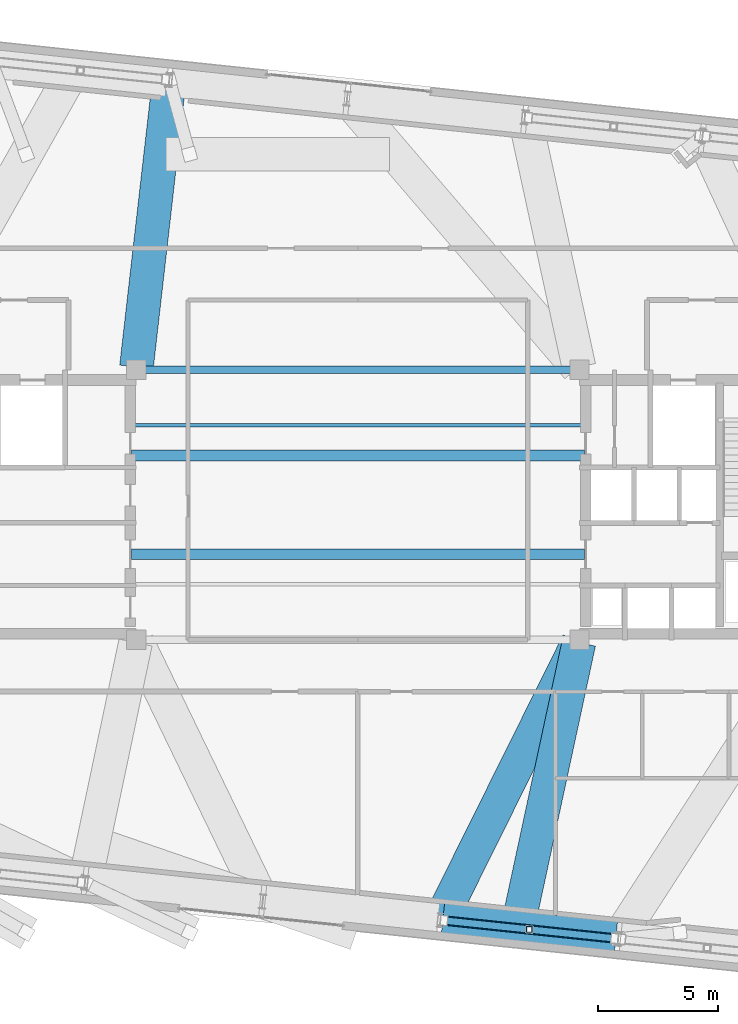
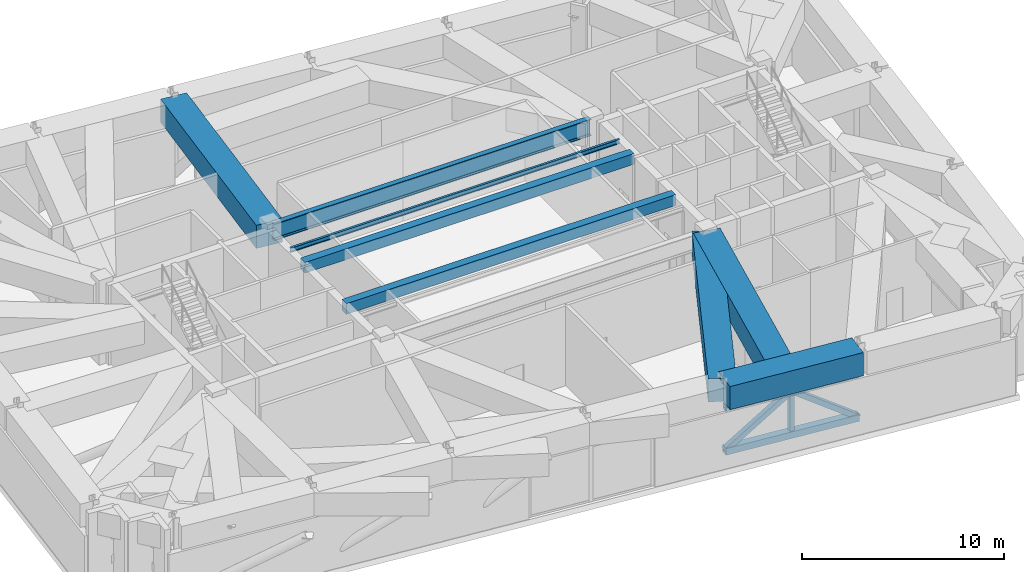
# One storey, part 8 of 21: 8 beams, 5 members.
"""IFC4 building model written with IfcOpenShell, lengths in metres."""

import ifcopenshell
import ifcopenshell.guid

model = None  # the IFC model being written
_history = None  # IfcOwnerHistory: only IFC2X3 demands one
_inside = {}  # id of a spatial element -> (the spatial element, [elements in it])
_under = {}  # id of a project, library or spatial element -> (it, [spatial elements below it])
_declared = {}  # id of a project -> (the project, [libraries it declares])
_typed = {}  # id of a type object -> (the type object, [elements of that type])
_made_of = {}  # id of a material, layer set ... -> (it, [elements and type objects made of it])


def new_model(schema):
    """Start an empty IFC model of exactly this schema.

    Asked for "IFC4X3", IfcOpenShell would pick the latest addendum, in which some entities
    have other attributes; the version numbers below select the first issue.
    IFC2X3 requires an IfcOwnerHistory on every rooted entity: one is made here for all.
    """
    global model, _history
    if schema == "IFC4X3":
        model = ifcopenshell.file(schema_version=(4, 3, 0, 0))
    else:
        model = ifcopenshell.file(schema=schema)
    _inside.clear()
    _under.clear()
    _declared.clear()
    _typed.clear()
    _made_of.clear()
    _history = None
    if model.schema == "IFC2X3":
        org = make("IfcOrganization", Name="unknown")
        user = make(
            "IfcPersonAndOrganization",
            ThePerson=make("IfcPerson", FamilyName="unknown"),
            TheOrganization=org,
        )
        app = make(
            "IfcApplication",
            ApplicationDeveloper=org,
            Version="unknown",
            ApplicationFullName="unknown",
            ApplicationIdentifier="unknown",
        )
        _history = make(
            "IfcOwnerHistory",
            OwningUser=user,
            OwningApplication=app,
            ChangeAction="ADDED",
            CreationDate=0,
        )
    return model


def make(cls, **values):
    """One entity of the class cls with the attributes given. An attribute that is None is left unset."""
    return model.create_entity(
        cls, **{name: value for name, value in values.items() if value is not None}
    )


def rooted(cls, **values):
    """An entity with a GlobalId (a new one), such as an element, a storey or a relation."""
    return make(cls, GlobalId=ifcopenshell.guid.new(), OwnerHistory=_history, **values)


def si_unit(unit_type, name, prefix=None):
    """IfcSIUnit, for example si_unit("LENGTHUNIT", "METRE", prefix="MILLI")."""
    return make("IfcSIUnit", UnitType=unit_type, Prefix=prefix, Name=name)


def assignment(units):
    """IfcUnitAssignment: the units of a project."""
    return None if units is None else make("IfcUnitAssignment", Units=units)


def point(xyz):
    """IfcCartesianPoint."""
    return None if xyz is None else make("IfcCartesianPoint", Coordinates=xyz)


def direction(xyz):
    """IfcDirection."""
    return None if xyz is None else make("IfcDirection", DirectionRatios=xyz)


def frame(location, z_axis=None, x_axis=None):
    """IfcAxis2Placement3D, a coordinate frame: its origin and axes. An axis left out is left unset."""
    return make(
        "IfcAxis2Placement3D",
        Location=point(location),
        Axis=direction(z_axis),
        RefDirection=direction(x_axis),
    )


def frame_2d(location, x_axis=None):
    """IfcAxis2Placement2D, a coordinate frame in the plane: its origin and x axis."""
    return make(
        "IfcAxis2Placement2D", Location=point(location), RefDirection=direction(x_axis)
    )


def origin():
    """The frame at (0, 0, 0) with its axes left unset."""
    return frame((0.0, 0.0, 0.0))


def origin_2d():
    """The frame at (0, 0) in the plane with its x axis left unset."""
    return frame_2d((0.0, 0.0))


def place(relative_to, where):
    """IfcLocalPlacement: puts the frame where relative to a parent placement (None: the world)."""
    return make(
        "IfcLocalPlacement", PlacementRelTo=relative_to, RelativePlacement=where
    )


def context(
    kind, dimensions, precision=None, world=None, true_north=None, identifier=None
):
    """IfcGeometricRepresentationContext, for example the 3D "Model" context."""
    return make(
        "IfcGeometricRepresentationContext",
        ContextIdentifier=identifier,
        ContextType=kind,
        CoordinateSpaceDimension=dimensions,
        Precision=precision,
        WorldCoordinateSystem=world,
        TrueNorth=true_north,
    )


def subcontext(parent, identifier, kind, view, scale=None):
    """IfcGeometricRepresentationSubContext, for example "Body" below "Model"."""
    return make(
        "IfcGeometricRepresentationSubContext",
        ContextIdentifier=identifier,
        ContextType=kind,
        ParentContext=parent,
        TargetScale=scale,
        TargetView=view,
    )


def project(units=None, contexts=None):
    """IfcProject with its units and contexts."""
    return rooted(
        "IfcProject",
        Name="project",
        RepresentationContexts=contexts,
        UnitsInContext=assignment(units),
    )


def spatial(cls, under=None, at=None, **own):
    """A site, building, storey or space (cls), placed at a placement, below another one or the project."""
    s = rooted(cls, ObjectPlacement=at, **own)
    if under is not None:
        _under.setdefault(under.id(), (under, []))[1].append(s)
    return s


def profile(cls, at=None, kind="AREA", **sizes):
    """A parametric profile (cls). Its sizes go by their IFC names, for example OverallWidth=200.0."""
    return make(cls, ProfileType=kind, Position=at, **sizes)


def rectangle(**sizes):
    """IfcRectangleProfileDef."""
    return profile("IfcRectangleProfileDef", **sizes)


def hollow_rectangle(**sizes):
    """IfcRectangleHollowProfileDef."""
    return profile("IfcRectangleHollowProfileDef", **sizes)


def i_section(**sizes):
    """IfcIShapeProfileDef."""
    return profile("IfcIShapeProfileDef", **sizes)


def extrude(swept, where, along, depth):
    """IfcExtrudedAreaSolid: the profile swept, set in the frame where, extruded along a direction by depth."""
    return make(
        "IfcExtrudedAreaSolid",
        SweptArea=swept,
        Position=where,
        ExtrudedDirection=direction(along),
        Depth=depth,
    )


def shape(context_of_items, identifier, shape_type, items):
    """IfcShapeRepresentation: the items that make up one representation, for example the "Body"."""
    return make(
        "IfcShapeRepresentation",
        ContextOfItems=context_of_items,
        RepresentationIdentifier=identifier,
        RepresentationType=shape_type,
        Items=items,
    )


def material(Name=None, Category=None):
    """IfcMaterial."""
    return make("IfcMaterial", Name=Name, Category=Category)


def material_profile(
    of_material, cross_section, Name=None, Category=None, Priority=None
):
    """IfcMaterialProfile: a cross section and its material."""
    return make(
        "IfcMaterialProfile",
        Name=Name,
        Material=of_material,
        Profile=cross_section,
        Priority=Priority,
        Category=Category,
    )


def profile_set(profiles, Name=None, composite=None):
    """IfcMaterialProfileSet."""
    return make(
        "IfcMaterialProfileSet",
        Name=Name,
        MaterialProfiles=profiles,
        CompositeProfile=composite,
    )


def made_of(thing, what):
    """Note that an element or type object is made of a material, layer set ...; save() writes the relation."""
    if what is not None:
        _made_of.setdefault(what.id(), (what, []))[1].append(thing)
    return thing


def type_object(cls, material=None, **own):
    """A type object (cls), such as IfcWallType, which elements share."""
    return made_of(rooted(cls, **own), material)


def element(
    cls,
    number,
    at=None,
    inside=None,
    cuts=None,
    type_object=None,
    material=None,
    context=None,
    identifier="Body",
    shape_type=None,
    held_by="IfcProductDefinitionShape",
    body=None,
    shapes=None,
    **own,
):
    """One element of the class cls, such as IfcWall. Its Tag is "e" and its number.

    at: its placement. inside: the storey or other place that contains it. cuts: it is an
    opening in that element (IfcRelVoidsElement). A single representation is given by context,
    identifier, shape_type and body (its items); several are given by shapes. held_by: the class
    of the entity that holds the representations. save() writes the other relations.
    """
    e = rooted(cls, Tag="e%d" % number, ObjectPlacement=at, **own)
    if body is not None:
        shapes = [shape(context, identifier, shape_type, body)]
    if shapes is not None:
        e.Representation = make(held_by, Representations=shapes)
    if inside is not None:
        _inside.setdefault(inside.id(), (inside, []))[1].append(e)
    if cuts is not None:
        rooted(
            "IfcRelVoidsElement", RelatingBuildingElement=cuts, RelatedOpeningElement=e
        )
    if type_object is not None:
        _typed.setdefault(type_object.id(), (type_object, []))[1].append(e)
    return made_of(e, material)


def aggregate(whole, parts):
    """IfcRelAggregates: a whole, such as a stair, and the parts it consists of."""
    return rooted("IfcRelAggregates", RelatingObject=whole, RelatedObjects=parts)


def save(model, path):
    """Write the relations noted so far, then the file.

    IfcRelAggregates (storeys below a building ...), IfcRelContainedInSpatialStructure (elements
    in a storey), IfcRelDefinesByType, IfcRelAssociatesMaterial and IfcRelDeclares: one each for
    every whole, place, type object, material and project.
    """
    for whole, parts in _under.values():
        aggregate(whole, parts)
    for where, things in _inside.values():
        rooted(
            "IfcRelContainedInSpatialStructure",
            RelatedElements=things,
            RelatingStructure=where,
        )
    for kind, things in _typed.values():
        rooted("IfcRelDefinesByType", RelatedObjects=things, RelatingType=kind)
    for what, things in _made_of.values():
        rooted("IfcRelAssociatesMaterial", RelatedObjects=things, RelatingMaterial=what)
    for by, libraries in _declared.values():
        rooted("IfcRelDeclares", RelatingContext=by, RelatedDefinitions=libraries)
    model.write(path)


model = new_model("IFC4")

# Units and contexts
model_context = context("Model", 3, precision=1e-05, world=origin(), true_north=direction((0.0, 1.0)))
body_context = subcontext(model_context, "Body", "Model", "MODEL_VIEW")
ifc_project = project(units=[si_unit("LENGTHUNIT", "METRE"), si_unit("AREAUNIT", "SQUARE_METRE"), si_unit("VOLUMEUNIT", "CUBIC_METRE"), si_unit("PLANEANGLEUNIT", "RADIAN"), si_unit("MASSUNIT", "GRAM", prefix="KILO")], contexts=[model_context])

# Site, building, storey
site_placement = place(None, origin())
site = spatial("IfcSite", under=ifc_project, at=site_placement, CompositionType="ELEMENT")
building_placement = place(site_placement, origin())
building = spatial("IfcBuilding", under=site, at=building_placement, Name="Qobustan Lattice House", CompositionType="ELEMENT")
storey_placement = place(building_placement, frame((0.0, 0.0, 223.199951171875)))
storey = spatial("IfcBuildingStorey", under=building, at=storey_placement, Name="L63", CompositionType="ELEMENT", Elevation=223.199951171875)

# Beams
ifc_material_1 = material(Name="Steel S355", Category="steel")
ifc_material_profile_1 = material_profile(ifc_material_1, i_section(OverallWidth=0.135009765625, OverallDepth=0.27001953125, WebThickness=0.006591796875, FlangeThickness=0.01025390625, FilletRadius=0.014892578125, at=origin_2d()), Name="IPE270")
ifc_profile_set_1 = profile_set([ifc_material_profile_1], Name="Steel S355")
beam_type_1 = type_object("IfcBeamType", Name="BM-JST-IPE270", PredefinedType="JOIST", material=ifc_profile_set_1)
beam_1_placement = place(storey_placement, frame((-9.39990234375, 3.300048828125, 4.68505859375), z_axis=(1.0, 0.0, 0.0), x_axis=(0.0, 1.0, 0.0)))
element("IfcBeam", 1, at=beam_1_placement, inside=storey, type_object=beam_type_1, Name="L63 central span floor joist 2", PredefinedType="JOIST", context=body_context, shape_type="SweptSolid", body=[
    extrude(i_section(OverallWidth=0.135009765625, OverallDepth=0.27001953125, WebThickness=0.006591796875, FlangeThickness=0.01025390625, FilletRadius=0.014892578125, at=origin_2d()), origin(), (0.0, 0.0, 1.0), 18.7998046875),
])
ifc_material_2 = material(Name="Concrete C50/60", Category="concrete")
ifc_material_profile_2 = material_profile(ifc_material_2, rectangle(XDim=0.449951171875, YDim=0.64990234375, at=origin_2d()), Name="RC450x650")
ifc_profile_set_2 = profile_set([ifc_material_profile_2], Name="Concrete C50/60")
beam_type_2 = type_object("IfcBeamType", Name="BM-LINTEL-450x650", PredefinedType="LINTEL", material=ifc_profile_set_2)
for number, where, z_axis, x_axis, name in (
    (2, (-9.39990234375, -2.050048828125, 4.4951171875), (1.0, 0.0, 0.0), (0.0, 1.0, 0.0), "L63 reinforced concrete portal lintel LN-W1"),
    (3, (-9.39990234375, 2.050048828125, 4.4951171875), (1.0, 0.0, 0.0), (0.0, 1.0, 0.0), "L63 reinforced concrete portal lintel LN-E1"),
):
    element("IfcBeam", number, at=place(storey_placement, frame(where, z_axis=z_axis, x_axis=x_axis)), inside=storey, type_object=beam_type_2, Name=name, PredefinedType="LINTEL", context=body_context, shape_type="SweptSolid", body=[
        extrude(rectangle(XDim=0.449951171875, YDim=0.64990234375, at=origin_2d()), origin(), (0.0, 0.0, 1.0), 18.7998046875),
    ])
ifc_material_3 = material(Name="Steel S355", Category="steel")
ifc_material_profile_3 = material_profile(ifc_material_3, i_section(OverallWidth=0.302001953125, OverallDepth=1.008056640625, WebThickness=0.02099609375, FlangeThickness=0.0400390625, FilletRadius=0.030029296875, at=origin_2d()), Name="HEM1000")
ifc_profile_set_3 = profile_set([ifc_material_profile_3], Name="Steel S355")
beam_type_3 = type_object("IfcBeamType", Name="BM-TRG-HEM1000", PredefinedType="USERDEFINED", material=ifc_profile_set_3)
beam_2_placement = place(storey_placement, frame((-9.050048828125, 5.60009765625, 4.316162109375), z_axis=(1.0, 0.0, 0.0), x_axis=(0.0, 1.0, 0.0)))
element("IfcBeam", 4, at=beam_2_placement, inside=storey, type_object=beam_type_3, Name="L63 core spine girder CG-CN", ObjectType="GIRDER", PredefinedType="USERDEFINED", context=body_context, shape_type="SweptSolid", body=[
    extrude(i_section(OverallWidth=0.302001953125, OverallDepth=1.008056640625, WebThickness=0.02099609375, FlangeThickness=0.0400390625, FilletRadius=0.030029296875, at=origin_2d()), origin(), (0.0, 0.0, 1.0), 18.10009765625),
])
ifc_material_4 = material(Name="Concrete C60/75", Category="concrete")
ifc_material_profile_4 = material_profile(ifc_material_4, rectangle(XDim=1.39990234375, YDim=1.39990234375, at=origin_2d()), Name="RC1400x1400")
ifc_profile_set_4 = profile_set([ifc_material_profile_4], Name="Concrete C60/75")
beam_type_4 = type_object("IfcBeamType", Name="BM-TRG-RC1400", PredefinedType="USERDEFINED", material=ifc_profile_set_4)
beam_3_placement = place(storey_placement, frame((3.524658203125, -17.243896484375, 4.1201171875), z_axis=(0.994521013309, -0.10453685516, 0.0), x_axis=(0.10453685516, 0.994521013309, 0.0)))
element("IfcBeam", 5, at=beam_3_placement, inside=storey, type_object=beam_type_4, Name="L63 TT4 lower perimeter transfer girder S5-S6", ObjectType="GIRDER", PredefinedType="USERDEFINED", context=body_context, shape_type="SweptSolid", body=[
    extrude(rectangle(XDim=1.39990234375, YDim=1.39990234375, at=origin_2d()), origin(), (0.0, 0.0, 1.0), 7.216552734375),
])
beam_4_placement = place(storey_placement, frame((9.146484375, -5.70751953125, 4.1201171875), z_axis=(-0.44462243172, -0.895718088023, 0.0), x_axis=(0.895718088023, -0.44462243172, 0.0)))
element("IfcBeam", 6, at=beam_4_placement, inside=storey, type_object=beam_type_4, Name="L63 TT4 radial transfer girder S5", ObjectType="GIRDER", PredefinedType="USERDEFINED", context=body_context, shape_type="SweptSolid", body=[
    extrude(rectangle(XDim=1.39990234375, YDim=1.39990234375, at=origin_2d()), origin(), (0.0, 0.0, 1.0), 12.747802734375),
])
beam_5_placement = place(storey_placement, frame((-9.186279296875, 5.71923828125, 4.1201171875), z_axis=(0.1134961323, 0.993538438085, 0.0), x_axis=(-0.993538438085, 0.1134961323, 0.0)))
element("IfcBeam", 7, at=beam_5_placement, inside=storey, type_object=beam_type_4, Name="L63 TT4 radial transfer girder N5", ObjectType="GIRDER", PredefinedType="USERDEFINED", context=body_context, shape_type="SweptSolid", body=[
    extrude(rectangle(XDim=1.39990234375, YDim=1.39990234375, at=origin_2d()), origin(), (0.0, 0.0, 1.0), 11.871826171875),
])
beam_6_placement = place(storey_placement, frame((9.1748046875, -5.71728515625, 4.1201171875), z_axis=(-0.210545823732, -0.977583989286, 0.0), x_axis=(0.977583989286, -0.210545823732, 0.0)))
element("IfcBeam", 8, at=beam_6_placement, inside=storey, type_object=beam_type_4, Name="L63 TT4 primary column transfer girder S5", ObjectType="GIRDER", PredefinedType="USERDEFINED", context=body_context, shape_type="SweptSolid", body=[
    extrude(rectangle(XDim=1.39990234375, YDim=1.39990234375, at=origin_2d()), origin(), (0.0, 0.0, 1.0), 11.904052734375),
])

# Members
ifc_material_5 = material(Name="Steel S355", Category="steel")
ifc_material_profile_5 = material_profile(ifc_material_5, hollow_rectangle(XDim=0.300048828125, YDim=0.300048828125, WallThickness=0.01611328125, at=origin_2d()), Name="SHS300x300x16")
ifc_profile_set_5 = profile_set([ifc_material_profile_5], Name="Steel S355")
member_type_1 = type_object("IfcMemberType", Name="MEM-BRC-SHS300", PredefinedType="BRACE", material=ifc_profile_set_5)
for number, where, z_axis, x_axis, name in (
    (9, (3.524658203125, -17.243896484375, 0.550048828125), (0.807931930746, -0.084921071706, 0.583124692379), (0.104533338099, 0.994521382991, 0.0), "L63 TT4 belt truss web diagonal S5-S6 A"),
    (10, (7.11328125, -17.62109375, 3.14013671875), (0.807912843065, -0.084924843008, -0.583150588657), (0.104540372455, 0.99452064359, 0.0), "L63 TT4 belt truss web diagonal S5-S6 B"),
):
    element("IfcMember", number, at=place(storey_placement, frame(where, z_axis=z_axis, x_axis=x_axis)), inside=storey, type_object=member_type_1, Name=name, PredefinedType="BRACE", context=body_context, shape_type="SweptSolid", body=[
        extrude(hollow_rectangle(XDim=0.300048828125, YDim=0.300048828125, WallThickness=0.01611328125, at=origin_2d()), origin(), (0.0, 0.0, 1.0), 4.441650390625),
    ])
ifc_material_6 = material(Name="Steel S355", Category="steel")
ifc_material_profile_6 = material_profile(ifc_material_6, hollow_rectangle(XDim=0.35009765625, YDim=0.35009765625, WallThickness=0.01611328125, at=origin_2d()), Name="SHS350x350x16")
ifc_profile_set_6 = profile_set([ifc_material_profile_6], Name="Steel S355")
member_type_2 = type_object("IfcMemberType", Name="MEM-CHD-SHS350", PredefinedType="CHORD", material=ifc_profile_set_6)
member_1_placement = place(storey_placement, frame((3.524658203125, -17.243896484375, 3.14013671875), z_axis=(0.994521013309, -0.10453685516, 0.0), x_axis=(0.10453685516, 0.994521013309, 0.0)))
element("IfcMember", 11, at=member_1_placement, inside=storey, type_object=member_type_2, Name="L63 TT4 belt truss top chord S5-S6", PredefinedType="CHORD", context=body_context, shape_type="SweptSolid", body=[
    extrude(hollow_rectangle(XDim=0.35009765625, YDim=0.35009765625, WallThickness=0.01611328125, at=origin_2d()), origin(), (0.0, 0.0, 1.0), 7.216552734375),
])
ifc_material_7 = material(Name="Steel S355", Category="steel")
ifc_material_profile_7 = material_profile(ifc_material_7, hollow_rectangle(XDim=0.39990234375, YDim=0.39990234375, WallThickness=0.02001953125, at=origin_2d()), Name="SHS400x400x20")
ifc_profile_set_7 = profile_set([ifc_material_profile_7], Name="Steel S355")
member_type_3 = type_object("IfcMemberType", Name="MEM-CHD-SHS400", PredefinedType="CHORD", material=ifc_profile_set_7)
member_2_placement = place(storey_placement, frame((3.524658203125, -17.243896484375, 0.550048828125), z_axis=(0.994521013309, -0.10453685516, 0.0), x_axis=(0.10453685516, 0.994521013309, 0.0)))
element("IfcMember", 12, at=member_2_placement, inside=storey, type_object=member_type_3, Name="L63 TT4 belt truss bottom chord S5-S6", PredefinedType="CHORD", context=body_context, shape_type="SweptSolid", body=[
    extrude(hollow_rectangle(XDim=0.39990234375, YDim=0.39990234375, WallThickness=0.02001953125, at=origin_2d()), origin(), (0.0, 0.0, 1.0), 7.216552734375),
])
ifc_material_8 = material(Name="Steel S355", Category="steel")
ifc_material_profile_8 = material_profile(ifc_material_8, hollow_rectangle(XDim=0.25, YDim=0.25, WallThickness=0.012451171875, at=origin_2d()), Name="SHS250x250x12.5")
ifc_profile_set_8 = profile_set([ifc_material_profile_8], Name="Steel S355")
member_type_4 = type_object("IfcMemberType", Name="MEM-PST-SHS250", PredefinedType="POST", material=ifc_profile_set_8)
member_3_placement = place(storey_placement, frame((7.11328125, -17.62109375, 0.550048828125), z_axis=(0.0, 0.0, 1.0), x_axis=(1.0, 0.0, 0.0)))
element("IfcMember", 13, at=member_3_placement, inside=storey, type_object=member_type_4, Name="L63 TT4 belt truss vertical post S5-S6", PredefinedType="POST", context=body_context, shape_type="SweptSolid", body=[
    extrude(hollow_rectangle(XDim=0.25, YDim=0.25, WallThickness=0.012451171875, at=origin_2d()), origin(), (0.0, 0.0, 1.0), 2.590087890625),
])

save(model, "model.ifc")
